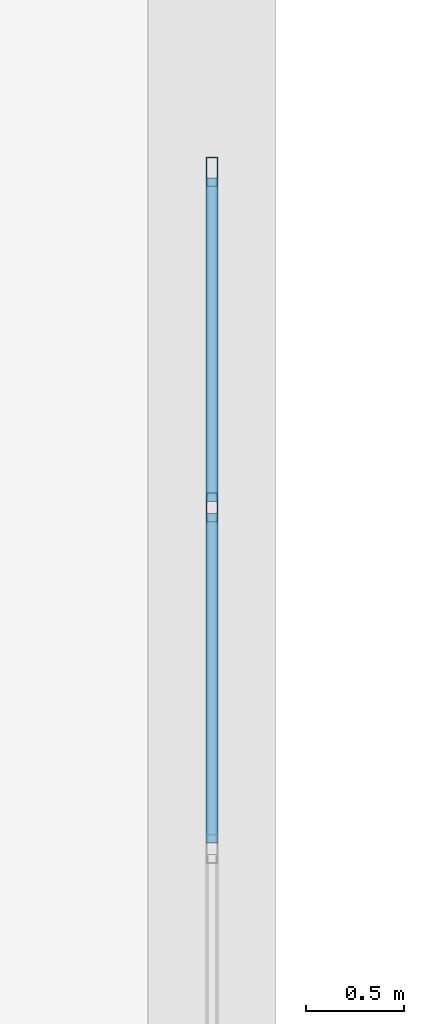
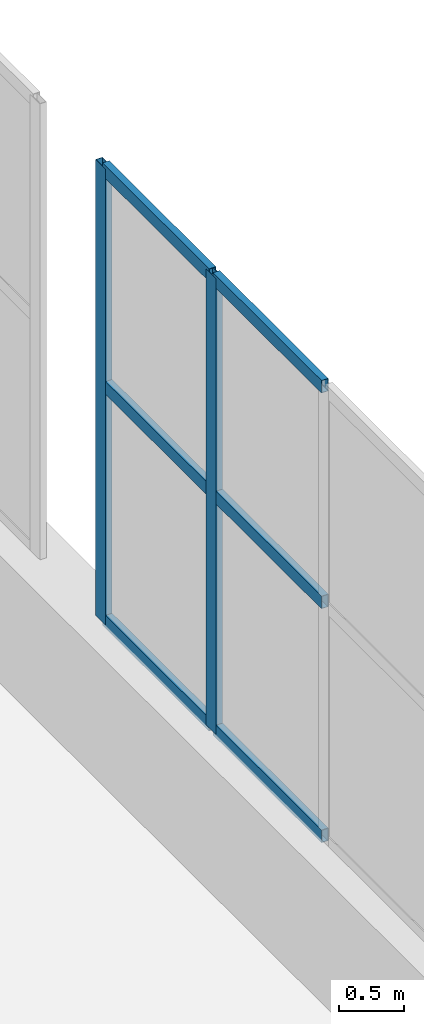
# One storey, part 91 of 139: 8 members, 1 element without a shape of its own.
"""IFC4 building model written with IfcOpenShell, lengths in metres."""

import ifcopenshell
import ifcopenshell.guid

model = None  # the IFC model being written
_history = None  # IfcOwnerHistory: only IFC2X3 demands one
_inside = {}  # id of a spatial element -> (the spatial element, [elements in it])
_under = {}  # id of a project, library or spatial element -> (it, [spatial elements below it])
_declared = {}  # id of a project -> (the project, [libraries it declares])
_typed = {}  # id of a type object -> (the type object, [elements of that type])
_made_of = {}  # id of a material, layer set ... -> (it, [elements and type objects made of it])


def new_model(schema):
    """Start an empty IFC model of exactly this schema.

    Asked for "IFC4X3", IfcOpenShell would pick the latest addendum, in which some entities
    have other attributes; the version numbers below select the first issue.
    IFC2X3 requires an IfcOwnerHistory on every rooted entity: one is made here for all.
    """
    global model, _history
    if schema == "IFC4X3":
        model = ifcopenshell.file(schema_version=(4, 3, 0, 0))
    else:
        model = ifcopenshell.file(schema=schema)
    _inside.clear()
    _under.clear()
    _declared.clear()
    _typed.clear()
    _made_of.clear()
    _history = None
    if model.schema == "IFC2X3":
        org = make("IfcOrganization", Name="unknown")
        user = make(
            "IfcPersonAndOrganization",
            ThePerson=make("IfcPerson", FamilyName="unknown"),
            TheOrganization=org,
        )
        app = make(
            "IfcApplication",
            ApplicationDeveloper=org,
            Version="unknown",
            ApplicationFullName="unknown",
            ApplicationIdentifier="unknown",
        )
        _history = make(
            "IfcOwnerHistory",
            OwningUser=user,
            OwningApplication=app,
            ChangeAction="ADDED",
            CreationDate=0,
        )
    return model


def make(cls, **values):
    """One entity of the class cls with the attributes given. An attribute that is None is left unset."""
    return model.create_entity(
        cls, **{name: value for name, value in values.items() if value is not None}
    )


def rooted(cls, **values):
    """An entity with a GlobalId (a new one), such as an element, a storey or a relation."""
    return make(cls, GlobalId=ifcopenshell.guid.new(), OwnerHistory=_history, **values)


def si_unit(unit_type, name, prefix=None):
    """IfcSIUnit, for example si_unit("LENGTHUNIT", "METRE", prefix="MILLI")."""
    return make("IfcSIUnit", UnitType=unit_type, Prefix=prefix, Name=name)


def assignment(units):
    """IfcUnitAssignment: the units of a project."""
    return None if units is None else make("IfcUnitAssignment", Units=units)


def point(xyz):
    """IfcCartesianPoint."""
    return None if xyz is None else make("IfcCartesianPoint", Coordinates=xyz)


def direction(xyz):
    """IfcDirection."""
    return None if xyz is None else make("IfcDirection", DirectionRatios=xyz)


def frame(location, z_axis=None, x_axis=None):
    """IfcAxis2Placement3D, a coordinate frame: its origin and axes. An axis left out is left unset."""
    return make(
        "IfcAxis2Placement3D",
        Location=point(location),
        Axis=direction(z_axis),
        RefDirection=direction(x_axis),
    )


def frame_2d(location, x_axis=None):
    """IfcAxis2Placement2D, a coordinate frame in the plane: its origin and x axis."""
    return make(
        "IfcAxis2Placement2D", Location=point(location), RefDirection=direction(x_axis)
    )


def origin():
    """The frame at (0, 0, 0) with its axes left unset."""
    return frame((0.0, 0.0, 0.0))


def origin_2d():
    """The frame at (0, 0) in the plane with its x axis left unset."""
    return frame_2d((0.0, 0.0))


def place(relative_to, where):
    """IfcLocalPlacement: puts the frame where relative to a parent placement (None: the world)."""
    return make(
        "IfcLocalPlacement", PlacementRelTo=relative_to, RelativePlacement=where
    )


def context(
    kind, dimensions, precision=None, world=None, true_north=None, identifier=None
):
    """IfcGeometricRepresentationContext, for example the 3D "Model" context."""
    return make(
        "IfcGeometricRepresentationContext",
        ContextIdentifier=identifier,
        ContextType=kind,
        CoordinateSpaceDimension=dimensions,
        Precision=precision,
        WorldCoordinateSystem=world,
        TrueNorth=true_north,
    )


def subcontext(parent, identifier, kind, view, scale=None):
    """IfcGeometricRepresentationSubContext, for example "Body" below "Model"."""
    return make(
        "IfcGeometricRepresentationSubContext",
        ContextIdentifier=identifier,
        ContextType=kind,
        ParentContext=parent,
        TargetScale=scale,
        TargetView=view,
    )


def project(units=None, contexts=None):
    """IfcProject with its units and contexts."""
    return rooted(
        "IfcProject",
        Name="project",
        RepresentationContexts=contexts,
        UnitsInContext=assignment(units),
    )


def spatial(cls, under=None, at=None, **own):
    """A site, building, storey or space (cls), placed at a placement, below another one or the project."""
    s = rooted(cls, ObjectPlacement=at, **own)
    if under is not None:
        _under.setdefault(under.id(), (under, []))[1].append(s)
    return s


def profile(cls, at=None, kind="AREA", **sizes):
    """A parametric profile (cls). Its sizes go by their IFC names, for example OverallWidth=200.0."""
    return make(cls, ProfileType=kind, Position=at, **sizes)


def hollow_rectangle(**sizes):
    """IfcRectangleHollowProfileDef."""
    return profile("IfcRectangleHollowProfileDef", **sizes)


def extrude(swept, where, along, depth):
    """IfcExtrudedAreaSolid: the profile swept, set in the frame where, extruded along a direction by depth."""
    return make(
        "IfcExtrudedAreaSolid",
        SweptArea=swept,
        Position=where,
        ExtrudedDirection=direction(along),
        Depth=depth,
    )


def shape(context_of_items, identifier, shape_type, items):
    """IfcShapeRepresentation: the items that make up one representation, for example the "Body"."""
    return make(
        "IfcShapeRepresentation",
        ContextOfItems=context_of_items,
        RepresentationIdentifier=identifier,
        RepresentationType=shape_type,
        Items=items,
    )


def material(Name=None, Category=None):
    """IfcMaterial."""
    return make("IfcMaterial", Name=Name, Category=Category)


def material_profile(
    of_material, cross_section, Name=None, Category=None, Priority=None
):
    """IfcMaterialProfile: a cross section and its material."""
    return make(
        "IfcMaterialProfile",
        Name=Name,
        Material=of_material,
        Profile=cross_section,
        Priority=Priority,
        Category=Category,
    )


def profile_set(profiles, Name=None, composite=None):
    """IfcMaterialProfileSet."""
    return make(
        "IfcMaterialProfileSet",
        Name=Name,
        MaterialProfiles=profiles,
        CompositeProfile=composite,
    )


def made_of(thing, what):
    """Note that an element or type object is made of a material, layer set ...; save() writes the relation."""
    if what is not None:
        _made_of.setdefault(what.id(), (what, []))[1].append(thing)
    return thing


def type_object(cls, material=None, **own):
    """A type object (cls), such as IfcWallType, which elements share."""
    return made_of(rooted(cls, **own), material)


def element(
    cls,
    number,
    at=None,
    inside=None,
    cuts=None,
    type_object=None,
    material=None,
    context=None,
    identifier="Body",
    shape_type=None,
    held_by="IfcProductDefinitionShape",
    body=None,
    shapes=None,
    **own,
):
    """One element of the class cls, such as IfcWall. Its Tag is "e" and its number.

    at: its placement. inside: the storey or other place that contains it. cuts: it is an
    opening in that element (IfcRelVoidsElement). A single representation is given by context,
    identifier, shape_type and body (its items); several are given by shapes. held_by: the class
    of the entity that holds the representations. save() writes the other relations.
    """
    e = rooted(cls, Tag="e%d" % number, ObjectPlacement=at, **own)
    if body is not None:
        shapes = [shape(context, identifier, shape_type, body)]
    if shapes is not None:
        e.Representation = make(held_by, Representations=shapes)
    if inside is not None:
        _inside.setdefault(inside.id(), (inside, []))[1].append(e)
    if cuts is not None:
        rooted(
            "IfcRelVoidsElement", RelatingBuildingElement=cuts, RelatedOpeningElement=e
        )
    if type_object is not None:
        _typed.setdefault(type_object.id(), (type_object, []))[1].append(e)
    return made_of(e, material)


def aggregate(whole, parts):
    """IfcRelAggregates: a whole, such as a stair, and the parts it consists of."""
    return rooted("IfcRelAggregates", RelatingObject=whole, RelatedObjects=parts)


def save(model, path):
    """Write the relations noted so far, then the file.

    IfcRelAggregates (storeys below a building ...), IfcRelContainedInSpatialStructure (elements
    in a storey), IfcRelDefinesByType, IfcRelAssociatesMaterial and IfcRelDeclares: one each for
    every whole, place, type object, material and project.
    """
    for whole, parts in _under.values():
        aggregate(whole, parts)
    for where, things in _inside.values():
        rooted(
            "IfcRelContainedInSpatialStructure",
            RelatedElements=things,
            RelatingStructure=where,
        )
    for kind, things in _typed.values():
        rooted("IfcRelDefinesByType", RelatedObjects=things, RelatingType=kind)
    for what, things in _made_of.values():
        rooted("IfcRelAssociatesMaterial", RelatedObjects=things, RelatingMaterial=what)
    for by, libraries in _declared.values():
        rooted("IfcRelDeclares", RelatingContext=by, RelatedDefinitions=libraries)
    model.write(path)


model = new_model("IFC4")

# Units and contexts
model_context = context("Model", 3, precision=1e-05, world=origin(), true_north=direction((0.0, 1.0)))
body_context = subcontext(model_context, "Body", "Model", "MODEL_VIEW")
ifc_project = project(units=[si_unit("LENGTHUNIT", "METRE"), si_unit("AREAUNIT", "SQUARE_METRE"), si_unit("VOLUMEUNIT", "CUBIC_METRE"), si_unit("PLANEANGLEUNIT", "RADIAN"), si_unit("MASSUNIT", "GRAM", prefix="KILO")], contexts=[model_context])

# Site, building, storey
site_placement = place(None, origin())
site = spatial("IfcSite", under=ifc_project, at=site_placement, CompositionType="ELEMENT")
building_placement = place(site_placement, origin())
building = spatial("IfcBuilding", under=site, at=building_placement, Name="Kazenagashi Tramway Depot", CompositionType="ELEMENT")
storey_placement = place(building_placement, origin())
storey = spatial("IfcBuildingStorey", under=building, at=storey_placement, Name="L01", CompositionType="ELEMENT", Elevation=0.0)

# Curtain wall, members
ifc_material_1 = material(Name="Anodised Aluminium and Low-E Glazing", Category="aluminium")
curtain_wall_type = type_object("IfcCurtainWallType", Name="CW-03", PredefinedType="USERDEFINED", material=ifc_material_1)
curtain_wall_placement = place(storey_placement, origin())
curtain_wall = element("IfcCurtainWall", 1, at=curtain_wall_placement, inside=storey, type_object=curtain_wall_type, Name="Industrial Glazed Screen CW-03 CW-0013", ObjectType="GLAZED SCREEN", PredefinedType="USERDEFINED")
ifc_material_2 = material(Name="Anodised Aluminium", Category="aluminium")
ifc_material_profile_1 = material_profile(ifc_material_2, hollow_rectangle(XDim=0.06, YDim=0.15, WallThickness=0.004, at=origin_2d()), Name="RHS-150x60x4")
ifc_profile_set_1 = profile_set([ifc_material_profile_1], Name="Anodised Aluminium")
member_type_1 = type_object("IfcMemberType", Name="ML-01", PredefinedType="MULLION", material=ifc_profile_set_1)
member_1_placement = place(storey_placement, frame((196.0, 120.766667, 1.2), z_axis=(0.0, 0.0, 1.0), x_axis=(-1.0, 0.0, 0.0)))
member_1 = element("IfcMember", 2, at=member_1_placement, type_object=member_type_1, Name="CW-03 mullion 3", PredefinedType="MULLION", context=body_context, shape_type="SweptSolid", body=[
    extrude(hollow_rectangle(XDim=0.06, YDim=0.15, WallThickness=0.004, at=origin_2d()), origin(), (0.0, 0.0, 1.0), 4.292),
])
member_2_placement = place(storey_placement, frame((196.0, 122.47, 1.2), z_axis=(0.0, 0.0, 1.0), x_axis=(-1.0, 0.0, 0.0)))
member_2 = element("IfcMember", 3, at=member_2_placement, type_object=member_type_1, Name="CW-03 mullion 4", PredefinedType="MULLION", context=body_context, shape_type="SweptSolid", body=[
    extrude(hollow_rectangle(XDim=0.06, YDim=0.15, WallThickness=0.004, at=origin_2d()), origin(), (0.0, 0.0, 1.0), 4.292),
])
ifc_material_profile_2 = material_profile(ifc_material_2, hollow_rectangle(XDim=0.06, YDim=0.12, WallThickness=0.004, at=origin_2d()), Name="RHS-120x60x4")
ifc_profile_set_2 = profile_set([ifc_material_profile_2], Name="Anodised Aluminium")
member_type_2 = type_object("IfcMemberType", Name="TR-01", PredefinedType="USERDEFINED", material=ifc_profile_set_2)
member_3_placement = place(storey_placement, frame((196.0, 119.063333, 1.23), z_axis=(0.0, 1.0, 0.0), x_axis=(-1.0, 0.0, 0.0)))
member_3 = element("IfcMember", 4, at=member_3_placement, type_object=member_type_2, Name="CW-03 transom 2.1", ObjectType="TRANSOM", PredefinedType="USERDEFINED", context=body_context, shape_type="SweptSolid", body=[
    extrude(hollow_rectangle(XDim=0.06, YDim=0.12, WallThickness=0.004, at=origin_2d()), origin(), (0.0, 0.0, 1.0), 1.673334),
])
member_4_placement = place(storey_placement, frame((196.0, 119.063333, 3.432), z_axis=(0.0, 1.0, 0.0), x_axis=(-1.0, 0.0, 0.0)))
member_4 = element("IfcMember", 5, at=member_4_placement, type_object=member_type_2, Name="CW-03 transom 2.2", ObjectType="TRANSOM", PredefinedType="USERDEFINED", context=body_context, shape_type="SweptSolid", body=[
    extrude(hollow_rectangle(XDim=0.06, YDim=0.12, WallThickness=0.004, at=origin_2d()), origin(), (0.0, 0.0, 1.0), 1.673334),
])
member_5_placement = place(storey_placement, frame((196.0, 119.063333, 5.462), z_axis=(0.0, 1.0, 0.0), x_axis=(-1.0, 0.0, 0.0)))
member_5 = element("IfcMember", 6, at=member_5_placement, type_object=member_type_2, Name="CW-03 transom 2.3", ObjectType="TRANSOM", PredefinedType="USERDEFINED", context=body_context, shape_type="SweptSolid", body=[
    extrude(hollow_rectangle(XDim=0.06, YDim=0.12, WallThickness=0.004, at=origin_2d()), origin(), (0.0, 0.0, 1.0), 1.673334),
])
member_6_placement = place(storey_placement, frame((196.0, 120.796667, 1.23), z_axis=(0.0, 1.0, 0.0), x_axis=(-1.0, 0.0, 0.0)))
member_6 = element("IfcMember", 7, at=member_6_placement, type_object=member_type_2, Name="CW-03 transom 3.1", ObjectType="TRANSOM", PredefinedType="USERDEFINED", context=body_context, shape_type="SweptSolid", body=[
    extrude(hollow_rectangle(XDim=0.06, YDim=0.12, WallThickness=0.004, at=origin_2d()), origin(), (0.0, 0.0, 1.0), 1.643333),
])
member_7_placement = place(storey_placement, frame((196.0, 120.796667, 3.432), z_axis=(0.0, 1.0, 0.0), x_axis=(-1.0, 0.0, 0.0)))
member_7 = element("IfcMember", 8, at=member_7_placement, type_object=member_type_2, Name="CW-03 transom 3.2", ObjectType="TRANSOM", PredefinedType="USERDEFINED", context=body_context, shape_type="SweptSolid", body=[
    extrude(hollow_rectangle(XDim=0.06, YDim=0.12, WallThickness=0.004, at=origin_2d()), origin(), (0.0, 0.0, 1.0), 1.643333),
])
member_8_placement = place(storey_placement, frame((196.0, 120.796667, 5.462), z_axis=(0.0, 1.0, 0.0), x_axis=(-1.0, 0.0, 0.0)))
member_8 = element("IfcMember", 9, at=member_8_placement, type_object=member_type_2, Name="CW-03 transom 3.3", ObjectType="TRANSOM", PredefinedType="USERDEFINED", context=body_context, shape_type="SweptSolid", body=[
    extrude(hollow_rectangle(XDim=0.06, YDim=0.12, WallThickness=0.004, at=origin_2d()), origin(), (0.0, 0.0, 1.0), 1.643333),
])
aggregate(curtain_wall, [member_1, member_2, member_3, member_4, member_5, member_6, member_7, member_8])

save(model, "model.ifc")
